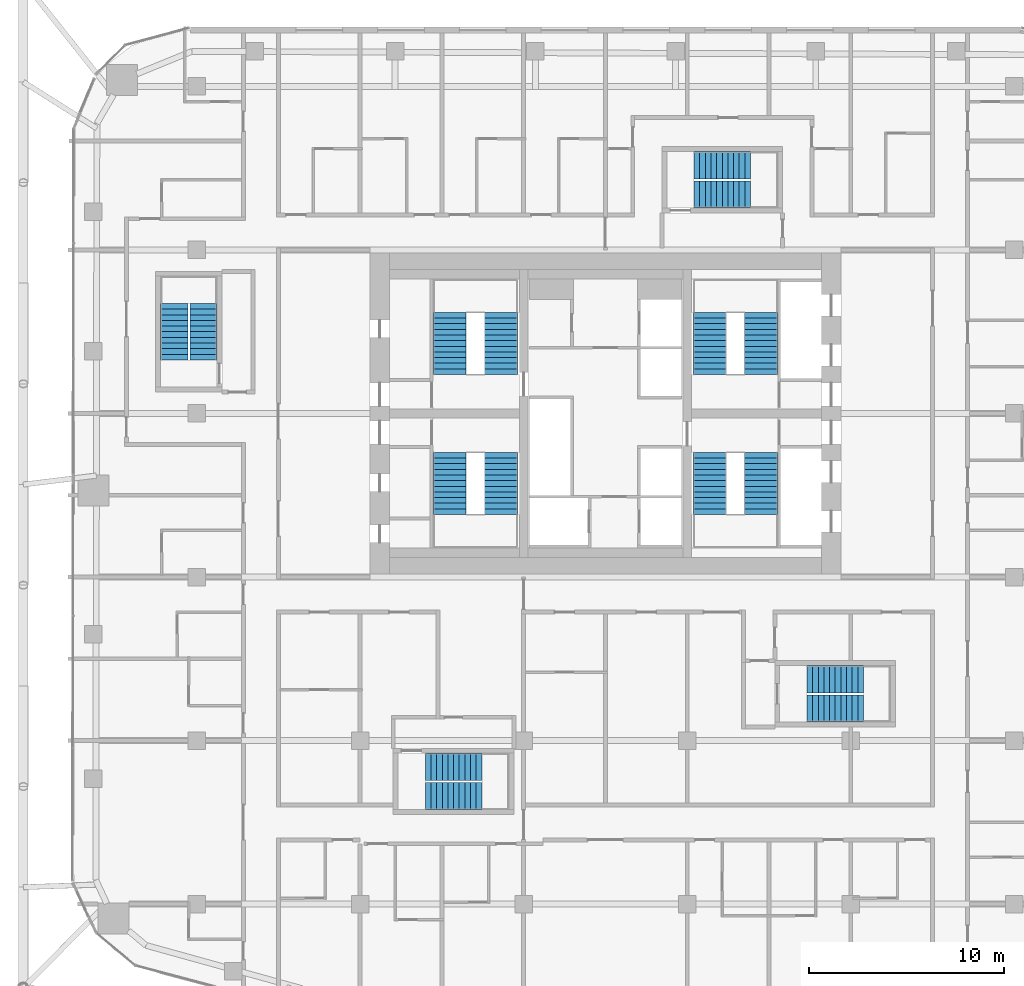
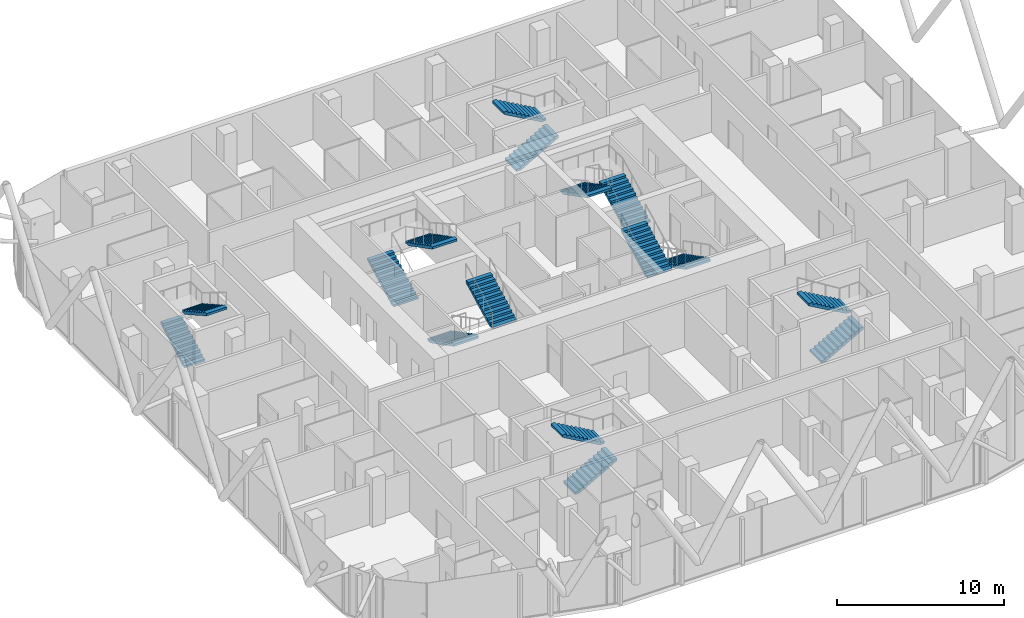
# One storey, part 34 of 36: 16 stair flights, 8 elements without a shape of their own.
"""IFC4 building model written with IfcOpenShell, lengths in metres."""

from ifc_helpers import new_model, si_unit, direction, frame, origin, place, context, subcontext, project, spatial, polyline, outline, extrude, material, type_object, element, aggregate, save


model = new_model("IFC4")

# Units and contexts
model_context = context("Model", 3, precision=1e-05, world=origin(), true_north=direction((0.0, 1.0)))
body_context = subcontext(model_context, "Body", "Model", "MODEL_VIEW")
ifc_project = project(units=[si_unit("LENGTHUNIT", "METRE"), si_unit("AREAUNIT", "SQUARE_METRE"), si_unit("VOLUMEUNIT", "CUBIC_METRE"), si_unit("PLANEANGLEUNIT", "RADIAN"), si_unit("MASSUNIT", "GRAM", prefix="KILO")], contexts=[model_context])

# Site, building, storey
site_placement = place(None, origin())
site = spatial("IfcSite", under=ifc_project, at=site_placement, CompositionType="ELEMENT")
building_placement = place(site_placement, origin())
building = spatial("IfcBuilding", under=site, at=building_placement, Name="Marenta Gate Hotel Tower", CompositionType="ELEMENT")
storey_placement = place(building_placement, frame((0.0, 0.0, 115.699951171875)))
storey = spatial("IfcBuildingStorey", under=building, at=storey_placement, Name="L25", CompositionType="ELEMENT", Elevation=115.699951171875)

# Stair, stair flights
ifc_material_1 = material(Name="Concrete C40", Category="concrete")
stair_type_1 = type_object("IfcStairType", Name="Core exit stair 1700 wide", PredefinedType="HALF_TURN_STAIR", material=ifc_material_1)
stair_1_placement = place(storey_placement, origin())
stair_1 = element("IfcStair", 1, at=stair_1_placement, inside=storey, type_object=stair_type_1, Name="Exit stair 1", PredefinedType="HALF_TURN_STAIR")
ifc_material_2 = material(Name="Concrete C40", Category="concrete")
stair_flight_type_1 = type_object("IfcStairFlightType", Name="Core stair flight 1700 riser 150.0 going 290", PredefinedType="STRAIGHT", material=ifc_material_2)
stair_flight_1_placement = place(storey_placement, frame((-8.0, 6.39990234375, 0.0), z_axis=(0.0, 0.0, 1.0), x_axis=(0.0, -1.0, 0.0)))
stair_flight_1 = element("IfcStairFlight", 2, at=stair_flight_1_placement, type_object=stair_flight_type_1, Name="ST1 flight 1", NumberOfRisers=12, NumberOfTreads=11, PredefinedType="STRAIGHT", RiserHeight=0.15, TreadLength=0.29, context=body_context, shape_type="SweptSolid", body=[
    extrude(outline(polyline([(0.0, 0.0), (0.0, 0.14990234375), (0.2900390625, 0.14990234375), (0.2900390625, 0.300048828125), (0.580078125, 0.300048828125), (0.580078125, 0.449951171875), (0.8701171875, 0.449951171875), (0.8701171875, 0.60009765625), (1.159912109375, 0.60009765625), (1.159912109375, 0.75), (1.449951171875, 0.75), (1.449951171875, 0.89990234375), (1.739990234375, 0.89990234375), (1.739990234375, 1.050048828125), (2.030029296875, 1.050048828125), (2.030029296875, 1.199951171875), (2.320068359375, 1.199951171875), (2.320068359375, 1.35009765625), (2.610107421875, 1.35009765625), (2.610107421875, 1.5), (2.89990234375, 1.5), (2.89990234375, 1.64990234375), (3.18994140625, 1.64990234375), (3.18994140625, 1.800048828125), (3.18994140625, 1.481201171875), (0.326171875, 0.0), (0.0, 0.0)])), frame((0.0, 0.85009765625, 0.0), z_axis=(0.0, -1.0, 0.0), x_axis=(1.0, 0.0, 0.0)), (0.0, 0.0, 1.0), 1.699951171875),
])
stair_flight_2_placement = place(storey_placement, frame((-5.35009765625, 3.2099609375, 1.800048828125), z_axis=(0.0, 0.0, 1.0), x_axis=(0.0, 1.0, 0.0)))
stair_flight_2 = element("IfcStairFlight", 3, at=stair_flight_2_placement, type_object=stair_flight_type_1, Name="ST1 flight 2", NumberOfRisers=12, NumberOfTreads=11, PredefinedType="STRAIGHT", RiserHeight=0.15, TreadLength=0.29, context=body_context, shape_type="SweptSolid", body=[
    extrude(outline(polyline([(0.0, 0.0), (0.0, 0.14990234375), (0.2900390625, 0.14990234375), (0.2900390625, 0.300048828125), (0.580078125, 0.300048828125), (0.580078125, 0.449951171875), (0.8701171875, 0.449951171875), (0.8701171875, 0.60009765625), (1.159912109375, 0.60009765625), (1.159912109375, 0.75), (1.449951171875, 0.75), (1.449951171875, 0.89990234375), (1.739990234375, 0.89990234375), (1.739990234375, 1.050048828125), (2.030029296875, 1.050048828125), (2.030029296875, 1.199951171875), (2.320068359375, 1.199951171875), (2.320068359375, 1.35009765625), (2.610107421875, 1.35009765625), (2.610107421875, 1.5), (2.89990234375, 1.5), (2.89990234375, 1.64990234375), (3.18994140625, 1.64990234375), (3.18994140625, 1.800048828125), (3.18994140625, 1.481201171875), (0.326171875, 0.0), (0.0, 0.0)])), frame((0.0, 0.85009765625, 0.0), z_axis=(0.0, -1.0, 0.0), x_axis=(1.0, 0.0, 0.0)), (0.0, 0.0, 1.0), 1.699951171875),
])
aggregate(stair_1, [stair_flight_1, stair_flight_2])

stair_2_placement = place(storey_placement, origin())
stair_2 = element("IfcStair", 4, at=stair_2_placement, inside=storey, type_object=stair_type_1, Name="Exit stair 2", PredefinedType="HALF_TURN_STAIR")
stair_flight_3_placement = place(storey_placement, frame((-8.0, 10.39990234375, 0.0), z_axis=(0.0, 0.0, 1.0), x_axis=(0.0, 1.0, 0.0)))
stair_flight_3 = element("IfcStairFlight", 5, at=stair_flight_3_placement, type_object=stair_flight_type_1, Name="ST2 flight 1", NumberOfRisers=12, NumberOfTreads=11, PredefinedType="STRAIGHT", RiserHeight=0.15, TreadLength=0.29, context=body_context, shape_type="SweptSolid", body=[
    extrude(outline(polyline([(0.0, 0.0), (0.0, 0.14990234375), (0.2900390625, 0.14990234375), (0.2900390625, 0.300048828125), (0.580078125, 0.300048828125), (0.580078125, 0.449951171875), (0.8701171875, 0.449951171875), (0.8701171875, 0.60009765625), (1.159912109375, 0.60009765625), (1.159912109375, 0.75), (1.449951171875, 0.75), (1.449951171875, 0.89990234375), (1.739990234375, 0.89990234375), (1.739990234375, 1.050048828125), (2.030029296875, 1.050048828125), (2.030029296875, 1.199951171875), (2.320068359375, 1.199951171875), (2.320068359375, 1.35009765625), (2.610107421875, 1.35009765625), (2.610107421875, 1.5), (2.89990234375, 1.5), (2.89990234375, 1.64990234375), (3.18994140625, 1.64990234375), (3.18994140625, 1.800048828125), (3.18994140625, 1.481201171875), (0.326171875, 0.0), (0.0, 0.0)])), frame((0.0, 0.85009765625, 0.0), z_axis=(0.0, -1.0, 0.0), x_axis=(1.0, 0.0, 0.0)), (0.0, 0.0, 1.0), 1.699951171875),
])
stair_flight_4_placement = place(storey_placement, frame((-5.35009765625, 13.590087890625, 1.800048828125), z_axis=(0.0, 0.0, 1.0), x_axis=(0.0, -1.0, 0.0)))
stair_flight_4 = element("IfcStairFlight", 6, at=stair_flight_4_placement, type_object=stair_flight_type_1, Name="ST2 flight 2", NumberOfRisers=12, NumberOfTreads=11, PredefinedType="STRAIGHT", RiserHeight=0.15, TreadLength=0.29, context=body_context, shape_type="SweptSolid", body=[
    extrude(outline(polyline([(0.0, 0.0), (0.0, 0.14990234375), (0.2900390625, 0.14990234375), (0.2900390625, 0.300048828125), (0.580078125, 0.300048828125), (0.580078125, 0.449951171875), (0.8701171875, 0.449951171875), (0.8701171875, 0.60009765625), (1.159912109375, 0.60009765625), (1.159912109375, 0.75), (1.449951171875, 0.75), (1.449951171875, 0.89990234375), (1.739990234375, 0.89990234375), (1.739990234375, 1.050048828125), (2.030029296875, 1.050048828125), (2.030029296875, 1.199951171875), (2.320068359375, 1.199951171875), (2.320068359375, 1.35009765625), (2.610107421875, 1.35009765625), (2.610107421875, 1.5), (2.89990234375, 1.5), (2.89990234375, 1.64990234375), (3.18994140625, 1.64990234375), (3.18994140625, 1.800048828125), (3.18994140625, 1.481201171875), (0.326171875, 0.0), (0.0, 0.0)])), frame((0.0, 0.85009765625, 0.0), z_axis=(0.0, -1.0, 0.0), x_axis=(1.0, 0.0, 0.0)), (0.0, 0.0, 1.0), 1.699951171875),
])
aggregate(stair_2, [stair_flight_3, stair_flight_4])

stair_3_placement = place(storey_placement, origin())
stair_3 = element("IfcStair", 7, at=stair_3_placement, inside=storey, type_object=stair_type_1, Name="Exit stair 3", PredefinedType="HALF_TURN_STAIR")
stair_flight_5_placement = place(storey_placement, frame((8.0, 6.39990234375, 0.0), z_axis=(0.0, 0.0, 1.0), x_axis=(0.0, -1.0, 0.0)))
stair_flight_5 = element("IfcStairFlight", 8, at=stair_flight_5_placement, type_object=stair_flight_type_1, Name="ST3 flight 1", NumberOfRisers=12, NumberOfTreads=11, PredefinedType="STRAIGHT", RiserHeight=0.15, TreadLength=0.29, context=body_context, shape_type="SweptSolid", body=[
    extrude(outline(polyline([(0.0, 0.0), (0.0, 0.14990234375), (0.2900390625, 0.14990234375), (0.2900390625, 0.300048828125), (0.580078125, 0.300048828125), (0.580078125, 0.449951171875), (0.8701171875, 0.449951171875), (0.8701171875, 0.60009765625), (1.159912109375, 0.60009765625), (1.159912109375, 0.75), (1.449951171875, 0.75), (1.449951171875, 0.89990234375), (1.739990234375, 0.89990234375), (1.739990234375, 1.050048828125), (2.030029296875, 1.050048828125), (2.030029296875, 1.199951171875), (2.320068359375, 1.199951171875), (2.320068359375, 1.35009765625), (2.610107421875, 1.35009765625), (2.610107421875, 1.5), (2.89990234375, 1.5), (2.89990234375, 1.64990234375), (3.18994140625, 1.64990234375), (3.18994140625, 1.800048828125), (3.18994140625, 1.481201171875), (0.326171875, 0.0), (0.0, 0.0)])), frame((0.0, 0.85009765625, 0.0), z_axis=(0.0, -1.0, 0.0), x_axis=(1.0, 0.0, 0.0)), (0.0, 0.0, 1.0), 1.699951171875),
])
stair_flight_6_placement = place(storey_placement, frame((5.35009765625, 3.2099609375, 1.800048828125), z_axis=(0.0, 0.0, 1.0), x_axis=(0.0, 1.0, 0.0)))
stair_flight_6 = element("IfcStairFlight", 9, at=stair_flight_6_placement, type_object=stair_flight_type_1, Name="ST3 flight 2", NumberOfRisers=12, NumberOfTreads=11, PredefinedType="STRAIGHT", RiserHeight=0.15, TreadLength=0.29, context=body_context, shape_type="SweptSolid", body=[
    extrude(outline(polyline([(0.0, 0.0), (0.0, 0.14990234375), (0.2900390625, 0.14990234375), (0.2900390625, 0.300048828125), (0.580078125, 0.300048828125), (0.580078125, 0.449951171875), (0.8701171875, 0.449951171875), (0.8701171875, 0.60009765625), (1.159912109375, 0.60009765625), (1.159912109375, 0.75), (1.449951171875, 0.75), (1.449951171875, 0.89990234375), (1.739990234375, 0.89990234375), (1.739990234375, 1.050048828125), (2.030029296875, 1.050048828125), (2.030029296875, 1.199951171875), (2.320068359375, 1.199951171875), (2.320068359375, 1.35009765625), (2.610107421875, 1.35009765625), (2.610107421875, 1.5), (2.89990234375, 1.5), (2.89990234375, 1.64990234375), (3.18994140625, 1.64990234375), (3.18994140625, 1.800048828125), (3.18994140625, 1.481201171875), (0.326171875, 0.0), (0.0, 0.0)])), frame((0.0, 0.85009765625, 0.0), z_axis=(0.0, -1.0, 0.0), x_axis=(1.0, 0.0, 0.0)), (0.0, 0.0, 1.0), 1.699951171875),
])
aggregate(stair_3, [stair_flight_5, stair_flight_6])

stair_4_placement = place(storey_placement, origin())
stair_4 = element("IfcStair", 10, at=stair_4_placement, inside=storey, type_object=stair_type_1, Name="Exit stair 4", PredefinedType="HALF_TURN_STAIR")
stair_flight_7_placement = place(storey_placement, frame((8.0, 10.39990234375, 0.0), z_axis=(0.0, 0.0, 1.0), x_axis=(0.0, 1.0, 0.0)))
stair_flight_7 = element("IfcStairFlight", 11, at=stair_flight_7_placement, type_object=stair_flight_type_1, Name="ST4 flight 1", NumberOfRisers=12, NumberOfTreads=11, PredefinedType="STRAIGHT", RiserHeight=0.15, TreadLength=0.29, context=body_context, shape_type="SweptSolid", body=[
    extrude(outline(polyline([(0.0, 0.0), (0.0, 0.14990234375), (0.2900390625, 0.14990234375), (0.2900390625, 0.300048828125), (0.580078125, 0.300048828125), (0.580078125, 0.449951171875), (0.8701171875, 0.449951171875), (0.8701171875, 0.60009765625), (1.159912109375, 0.60009765625), (1.159912109375, 0.75), (1.449951171875, 0.75), (1.449951171875, 0.89990234375), (1.739990234375, 0.89990234375), (1.739990234375, 1.050048828125), (2.030029296875, 1.050048828125), (2.030029296875, 1.199951171875), (2.320068359375, 1.199951171875), (2.320068359375, 1.35009765625), (2.610107421875, 1.35009765625), (2.610107421875, 1.5), (2.89990234375, 1.5), (2.89990234375, 1.64990234375), (3.18994140625, 1.64990234375), (3.18994140625, 1.800048828125), (3.18994140625, 1.481201171875), (0.326171875, 0.0), (0.0, 0.0)])), frame((0.0, 0.85009765625, 0.0), z_axis=(0.0, -1.0, 0.0), x_axis=(1.0, 0.0, 0.0)), (0.0, 0.0, 1.0), 1.699951171875),
])
stair_flight_8_placement = place(storey_placement, frame((5.35009765625, 13.590087890625, 1.800048828125), z_axis=(0.0, 0.0, 1.0), x_axis=(0.0, -1.0, 0.0)))
stair_flight_8 = element("IfcStairFlight", 12, at=stair_flight_8_placement, type_object=stair_flight_type_1, Name="ST4 flight 2", NumberOfRisers=12, NumberOfTreads=11, PredefinedType="STRAIGHT", RiserHeight=0.15, TreadLength=0.29, context=body_context, shape_type="SweptSolid", body=[
    extrude(outline(polyline([(0.0, 0.0), (0.0, 0.14990234375), (0.2900390625, 0.14990234375), (0.2900390625, 0.300048828125), (0.580078125, 0.300048828125), (0.580078125, 0.449951171875), (0.8701171875, 0.449951171875), (0.8701171875, 0.60009765625), (1.159912109375, 0.60009765625), (1.159912109375, 0.75), (1.449951171875, 0.75), (1.449951171875, 0.89990234375), (1.739990234375, 0.89990234375), (1.739990234375, 1.050048828125), (2.030029296875, 1.050048828125), (2.030029296875, 1.199951171875), (2.320068359375, 1.199951171875), (2.320068359375, 1.35009765625), (2.610107421875, 1.35009765625), (2.610107421875, 1.5), (2.89990234375, 1.5), (2.89990234375, 1.64990234375), (3.18994140625, 1.64990234375), (3.18994140625, 1.800048828125), (3.18994140625, 1.481201171875), (0.326171875, 0.0), (0.0, 0.0)])), frame((0.0, 0.85009765625, 0.0), z_axis=(0.0, -1.0, 0.0), x_axis=(1.0, 0.0, 0.0)), (0.0, 0.0, 1.0), 1.699951171875),
])
aggregate(stair_4, [stair_flight_7, stair_flight_8])

ifc_material_3 = material(Name="Concrete C40", Category="concrete")
stair_type_2 = type_object("IfcStairType", Name="Remote exit stair 1400 wide", PredefinedType="HALF_TURN_STAIR", material=ifc_material_3)
stair_5_placement = place(storey_placement, origin())
stair_5 = element("IfcStair", 13, at=stair_5_placement, inside=storey, type_object=stair_type_2, Name="Exit stair RS-Z1-3", PredefinedType="HALF_TURN_STAIR")
ifc_material_4 = material(Name="Concrete C40", Category="concrete")
stair_flight_type_2 = type_object("IfcStairFlightType", Name="Remote stair flight 1400 riser 163.6 going 290", PredefinedType="STRAIGHT", material=ifc_material_4)
stair_flight_9_placement = place(storey_placement, frame((-22.14990234375, 11.14990234375, 0.0), z_axis=(0.0, 0.0, 1.0), x_axis=(0.0, 1.0, 0.0)))
stair_flight_9 = element("IfcStairFlight", 14, at=stair_flight_9_placement, type_object=stair_flight_type_2, Name="RS-Z1-3 flight 1", NumberOfRisers=11, NumberOfTreads=10, PredefinedType="STRAIGHT", RiserHeight=0.163636, TreadLength=0.29, context=body_context, shape_type="SweptSolid", body=[
    extrude(outline(polyline([(0.0, 0.0), (0.0, 0.16357421875), (0.2900390625, 0.16357421875), (0.2900390625, 0.327392578125), (0.580078125, 0.327392578125), (0.580078125, 0.490966796875), (0.8701171875, 0.490966796875), (0.8701171875, 0.654541015625), (1.159912109375, 0.654541015625), (1.159912109375, 0.818115234375), (1.449951171875, 0.818115234375), (1.449951171875, 0.98193359375), (1.739990234375, 0.98193359375), (1.739990234375, 1.1455078125), (2.030029296875, 1.1455078125), (2.030029296875, 1.30908203125), (2.320068359375, 1.30908203125), (2.320068359375, 1.47265625), (2.610107421875, 1.47265625), (2.610107421875, 1.636474609375), (2.89990234375, 1.636474609375), (2.89990234375, 1.800048828125), (2.89990234375, 1.46435546875), (0.304931640625, 0.0), (0.0, 0.0)])), frame((0.0, 0.699951171875, 0.0), z_axis=(0.0, -1.0, 0.0), x_axis=(1.0, 0.0, 0.0)), (0.0, 0.0, 1.0), 1.39990234375),
])
stair_flight_10_placement = place(storey_placement, frame((-20.64990234375, 14.050048828125, 1.800048828125), z_axis=(0.0, 0.0, 1.0), x_axis=(0.0, -1.0, 0.0)))
stair_flight_10 = element("IfcStairFlight", 15, at=stair_flight_10_placement, type_object=stair_flight_type_2, Name="RS-Z1-3 flight 2", NumberOfRisers=11, NumberOfTreads=10, PredefinedType="STRAIGHT", RiserHeight=0.163636, TreadLength=0.29, context=body_context, shape_type="SweptSolid", body=[
    extrude(outline(polyline([(0.0, 0.0), (0.0, 0.16357421875), (0.2900390625, 0.16357421875), (0.2900390625, 0.327392578125), (0.580078125, 0.327392578125), (0.580078125, 0.490966796875), (0.8701171875, 0.490966796875), (0.8701171875, 0.654541015625), (1.159912109375, 0.654541015625), (1.159912109375, 0.818115234375), (1.449951171875, 0.818115234375), (1.449951171875, 0.98193359375), (1.739990234375, 0.98193359375), (1.739990234375, 1.1455078125), (2.030029296875, 1.1455078125), (2.030029296875, 1.30908203125), (2.320068359375, 1.30908203125), (2.320068359375, 1.47265625), (2.610107421875, 1.47265625), (2.610107421875, 1.636474609375), (2.89990234375, 1.636474609375), (2.89990234375, 1.800048828125), (2.89990234375, 1.46435546875), (0.304931640625, 0.0), (0.0, 0.0)])), frame((0.0, 0.699951171875, 0.0), z_axis=(0.0, -1.0, 0.0), x_axis=(1.0, 0.0, 0.0)), (0.0, 0.0, 1.0), 1.39990234375),
])
aggregate(stair_5, [stair_flight_9, stair_flight_10])

stair_6_placement = place(storey_placement, origin())
stair_6 = element("IfcStair", 16, at=stair_6_placement, inside=storey, type_object=stair_type_2, Name="Exit stair RS-Z2-1", PredefinedType="HALF_TURN_STAIR")
stair_flight_11_placement = place(storey_placement, frame((-9.25, -11.25, 0.0), z_axis=(0.0, 0.0, 1.0), x_axis=(1.0, 0.0, 0.0)))
stair_flight_11 = element("IfcStairFlight", 17, at=stair_flight_11_placement, type_object=stair_flight_type_2, Name="RS-Z2-1 flight 1", NumberOfRisers=11, NumberOfTreads=10, PredefinedType="STRAIGHT", RiserHeight=0.163636, TreadLength=0.29, context=body_context, shape_type="SweptSolid", body=[
    extrude(outline(polyline([(0.0, 0.0), (0.0, 0.16357421875), (0.2900390625, 0.16357421875), (0.2900390625, 0.327392578125), (0.580078125, 0.327392578125), (0.580078125, 0.490966796875), (0.8701171875, 0.490966796875), (0.8701171875, 0.654541015625), (1.159912109375, 0.654541015625), (1.159912109375, 0.818115234375), (1.449951171875, 0.818115234375), (1.449951171875, 0.98193359375), (1.739990234375, 0.98193359375), (1.739990234375, 1.1455078125), (2.030029296875, 1.1455078125), (2.030029296875, 1.30908203125), (2.320068359375, 1.30908203125), (2.320068359375, 1.47265625), (2.610107421875, 1.47265625), (2.610107421875, 1.636474609375), (2.89990234375, 1.636474609375), (2.89990234375, 1.800048828125), (2.89990234375, 1.46435546875), (0.304931640625, 0.0), (0.0, 0.0)])), frame((0.0, 0.699951171875, 0.0), z_axis=(0.0, -1.0, 0.0), x_axis=(1.0, 0.0, 0.0)), (0.0, 0.0, 1.0), 1.39990234375),
])
stair_flight_12_placement = place(storey_placement, frame((-6.35009765625, -9.75, 1.800048828125), z_axis=(0.0, 0.0, 1.0), x_axis=(-1.0, 0.0, 0.0)))
stair_flight_12 = element("IfcStairFlight", 18, at=stair_flight_12_placement, type_object=stair_flight_type_2, Name="RS-Z2-1 flight 2", NumberOfRisers=11, NumberOfTreads=10, PredefinedType="STRAIGHT", RiserHeight=0.163636, TreadLength=0.29, context=body_context, shape_type="SweptSolid", body=[
    extrude(outline(polyline([(0.0, 0.0), (0.0, 0.16357421875), (0.2900390625, 0.16357421875), (0.2900390625, 0.327392578125), (0.580078125, 0.327392578125), (0.580078125, 0.490966796875), (0.8701171875, 0.490966796875), (0.8701171875, 0.654541015625), (1.159912109375, 0.654541015625), (1.159912109375, 0.818115234375), (1.449951171875, 0.818115234375), (1.449951171875, 0.98193359375), (1.739990234375, 0.98193359375), (1.739990234375, 1.1455078125), (2.030029296875, 1.1455078125), (2.030029296875, 1.30908203125), (2.320068359375, 1.30908203125), (2.320068359375, 1.47265625), (2.610107421875, 1.47265625), (2.610107421875, 1.636474609375), (2.89990234375, 1.636474609375), (2.89990234375, 1.800048828125), (2.89990234375, 1.46435546875), (0.304931640625, 0.0), (0.0, 0.0)])), frame((0.0, 0.699951171875, 0.0), z_axis=(0.0, -1.0, 0.0), x_axis=(1.0, 0.0, 0.0)), (0.0, 0.0, 1.0), 1.39990234375),
])
aggregate(stair_6, [stair_flight_11, stair_flight_12])

stair_7_placement = place(storey_placement, origin())
stair_7 = element("IfcStair", 19, at=stair_7_placement, inside=storey, type_object=stair_type_2, Name="Exit stair RS-Z2-2", PredefinedType="HALF_TURN_STAIR")
stair_flight_13_placement = place(storey_placement, frame((10.35009765625, -6.75, 0.0), z_axis=(0.0, 0.0, 1.0), x_axis=(1.0, 0.0, 0.0)))
stair_flight_13 = element("IfcStairFlight", 20, at=stair_flight_13_placement, type_object=stair_flight_type_2, Name="RS-Z2-2 flight 1", NumberOfRisers=11, NumberOfTreads=10, PredefinedType="STRAIGHT", RiserHeight=0.163636, TreadLength=0.29, context=body_context, shape_type="SweptSolid", body=[
    extrude(outline(polyline([(0.0, 0.0), (0.0, 0.16357421875), (0.2900390625, 0.16357421875), (0.2900390625, 0.327392578125), (0.580078125, 0.327392578125), (0.580078125, 0.490966796875), (0.8701171875, 0.490966796875), (0.8701171875, 0.654541015625), (1.159912109375, 0.654541015625), (1.159912109375, 0.818115234375), (1.449951171875, 0.818115234375), (1.449951171875, 0.98193359375), (1.739990234375, 0.98193359375), (1.739990234375, 1.1455078125), (2.030029296875, 1.1455078125), (2.030029296875, 1.30908203125), (2.320068359375, 1.30908203125), (2.320068359375, 1.47265625), (2.610107421875, 1.47265625), (2.610107421875, 1.636474609375), (2.89990234375, 1.636474609375), (2.89990234375, 1.800048828125), (2.89990234375, 1.46435546875), (0.304931640625, 0.0), (0.0, 0.0)])), frame((0.0, 0.699951171875, 0.0), z_axis=(0.0, -1.0, 0.0), x_axis=(1.0, 0.0, 0.0)), (0.0, 0.0, 1.0), 1.39990234375),
])
stair_flight_14_placement = place(storey_placement, frame((13.25, -5.25, 1.800048828125), z_axis=(0.0, 0.0, 1.0), x_axis=(-1.0, 0.0, 0.0)))
stair_flight_14 = element("IfcStairFlight", 21, at=stair_flight_14_placement, type_object=stair_flight_type_2, Name="RS-Z2-2 flight 2", NumberOfRisers=11, NumberOfTreads=10, PredefinedType="STRAIGHT", RiserHeight=0.163636, TreadLength=0.29, context=body_context, shape_type="SweptSolid", body=[
    extrude(outline(polyline([(0.0, 0.0), (0.0, 0.16357421875), (0.2900390625, 0.16357421875), (0.2900390625, 0.327392578125), (0.580078125, 0.327392578125), (0.580078125, 0.490966796875), (0.8701171875, 0.490966796875), (0.8701171875, 0.654541015625), (1.159912109375, 0.654541015625), (1.159912109375, 0.818115234375), (1.449951171875, 0.818115234375), (1.449951171875, 0.98193359375), (1.739990234375, 0.98193359375), (1.739990234375, 1.1455078125), (2.030029296875, 1.1455078125), (2.030029296875, 1.30908203125), (2.320068359375, 1.30908203125), (2.320068359375, 1.47265625), (2.610107421875, 1.47265625), (2.610107421875, 1.636474609375), (2.89990234375, 1.636474609375), (2.89990234375, 1.800048828125), (2.89990234375, 1.46435546875), (0.304931640625, 0.0), (0.0, 0.0)])), frame((0.0, 0.699951171875, 0.0), z_axis=(0.0, -1.0, 0.0), x_axis=(1.0, 0.0, 0.0)), (0.0, 0.0, 1.0), 1.39990234375),
])
aggregate(stair_7, [stair_flight_13, stair_flight_14])

stair_8_placement = place(storey_placement, origin())
stair_8 = element("IfcStair", 22, at=stair_8_placement, inside=storey, type_object=stair_type_2, Name="Exit stair RS-Z2-4", PredefinedType="HALF_TURN_STAIR")
stair_flight_15_placement = place(storey_placement, frame((4.550048828125, 19.64990234375, 0.0), z_axis=(0.0, 0.0, 1.0), x_axis=(1.0, 0.0, 0.0)))
stair_flight_15 = element("IfcStairFlight", 23, at=stair_flight_15_placement, type_object=stair_flight_type_2, Name="RS-Z2-4 flight 1", NumberOfRisers=11, NumberOfTreads=10, PredefinedType="STRAIGHT", RiserHeight=0.163636, TreadLength=0.29, context=body_context, shape_type="SweptSolid", body=[
    extrude(outline(polyline([(0.0, 0.0), (0.0, 0.16357421875), (0.2900390625, 0.16357421875), (0.2900390625, 0.327392578125), (0.580078125, 0.327392578125), (0.580078125, 0.490966796875), (0.8701171875, 0.490966796875), (0.8701171875, 0.654541015625), (1.159912109375, 0.654541015625), (1.159912109375, 0.818115234375), (1.449951171875, 0.818115234375), (1.449951171875, 0.98193359375), (1.739990234375, 0.98193359375), (1.739990234375, 1.1455078125), (2.030029296875, 1.1455078125), (2.030029296875, 1.30908203125), (2.320068359375, 1.30908203125), (2.320068359375, 1.47265625), (2.610107421875, 1.47265625), (2.610107421875, 1.636474609375), (2.89990234375, 1.636474609375), (2.89990234375, 1.800048828125), (2.89990234375, 1.46435546875), (0.304931640625, 0.0), (0.0, 0.0)])), frame((0.0, 0.699951171875, 0.0), z_axis=(0.0, -1.0, 0.0), x_axis=(1.0, 0.0, 0.0)), (0.0, 0.0, 1.0), 1.39990234375),
])
stair_flight_16_placement = place(storey_placement, frame((7.449951171875, 21.14990234375, 1.800048828125), z_axis=(0.0, 0.0, 1.0), x_axis=(-1.0, 0.0, 0.0)))
stair_flight_16 = element("IfcStairFlight", 24, at=stair_flight_16_placement, type_object=stair_flight_type_2, Name="RS-Z2-4 flight 2", NumberOfRisers=11, NumberOfTreads=10, PredefinedType="STRAIGHT", RiserHeight=0.163636, TreadLength=0.29, context=body_context, shape_type="SweptSolid", body=[
    extrude(outline(polyline([(0.0, 0.0), (0.0, 0.16357421875), (0.2900390625, 0.16357421875), (0.2900390625, 0.327392578125), (0.580078125, 0.327392578125), (0.580078125, 0.490966796875), (0.8701171875, 0.490966796875), (0.8701171875, 0.654541015625), (1.159912109375, 0.654541015625), (1.159912109375, 0.818115234375), (1.449951171875, 0.818115234375), (1.449951171875, 0.98193359375), (1.739990234375, 0.98193359375), (1.739990234375, 1.1455078125), (2.030029296875, 1.1455078125), (2.030029296875, 1.30908203125), (2.320068359375, 1.30908203125), (2.320068359375, 1.47265625), (2.610107421875, 1.47265625), (2.610107421875, 1.636474609375), (2.89990234375, 1.636474609375), (2.89990234375, 1.800048828125), (2.89990234375, 1.46435546875), (0.304931640625, 0.0), (0.0, 0.0)])), frame((0.0, 0.699951171875, 0.0), z_axis=(0.0, -1.0, 0.0), x_axis=(1.0, 0.0, 0.0)), (0.0, 0.0, 1.0), 1.39990234375),
])
aggregate(stair_8, [stair_flight_15, stair_flight_16])

save(model, "model.ifc")
